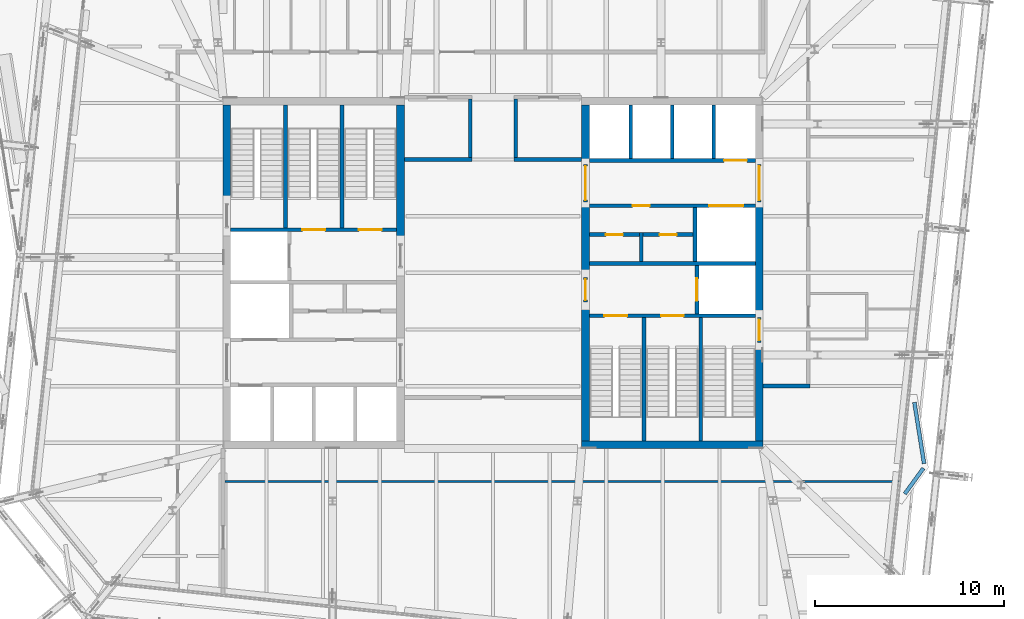
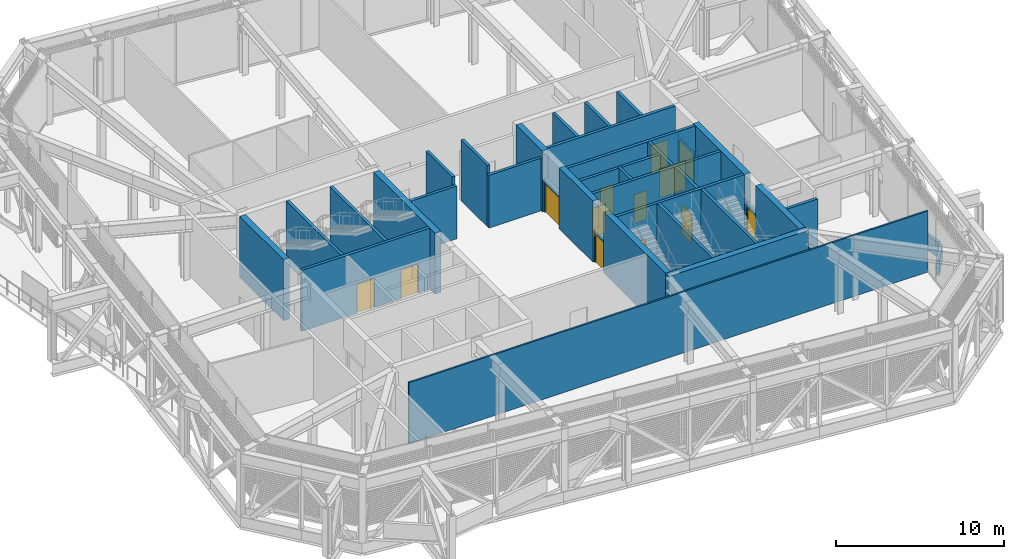
# One storey, part 22 of 36: 36 walls, 14 doors, 14 openings.
"""IFC4 building model written with IfcOpenShell, lengths in metres."""

import ifcopenshell
import ifcopenshell.guid

model = None  # the IFC model being written
_history = None  # IfcOwnerHistory: only IFC2X3 demands one
_inside = {}  # id of a spatial element -> (the spatial element, [elements in it])
_under = {}  # id of a project, library or spatial element -> (it, [spatial elements below it])
_declared = {}  # id of a project -> (the project, [libraries it declares])
_typed = {}  # id of a type object -> (the type object, [elements of that type])
_made_of = {}  # id of a material, layer set ... -> (it, [elements and type objects made of it])


def new_model(schema):
    """Start an empty IFC model of exactly this schema.

    Asked for "IFC4X3", IfcOpenShell would pick the latest addendum, in which some entities
    have other attributes; the version numbers below select the first issue.
    IFC2X3 requires an IfcOwnerHistory on every rooted entity: one is made here for all.
    """
    global model, _history
    if schema == "IFC4X3":
        model = ifcopenshell.file(schema_version=(4, 3, 0, 0))
    else:
        model = ifcopenshell.file(schema=schema)
    _inside.clear()
    _under.clear()
    _declared.clear()
    _typed.clear()
    _made_of.clear()
    _history = None
    if model.schema == "IFC2X3":
        org = make("IfcOrganization", Name="unknown")
        user = make(
            "IfcPersonAndOrganization",
            ThePerson=make("IfcPerson", FamilyName="unknown"),
            TheOrganization=org,
        )
        app = make(
            "IfcApplication",
            ApplicationDeveloper=org,
            Version="unknown",
            ApplicationFullName="unknown",
            ApplicationIdentifier="unknown",
        )
        _history = make(
            "IfcOwnerHistory",
            OwningUser=user,
            OwningApplication=app,
            ChangeAction="ADDED",
            CreationDate=0,
        )
    return model


def make(cls, **values):
    """One entity of the class cls with the attributes given. An attribute that is None is left unset."""
    return model.create_entity(
        cls, **{name: value for name, value in values.items() if value is not None}
    )


def rooted(cls, **values):
    """An entity with a GlobalId (a new one), such as an element, a storey or a relation."""
    return make(cls, GlobalId=ifcopenshell.guid.new(), OwnerHistory=_history, **values)


def si_unit(unit_type, name, prefix=None):
    """IfcSIUnit, for example si_unit("LENGTHUNIT", "METRE", prefix="MILLI")."""
    return make("IfcSIUnit", UnitType=unit_type, Prefix=prefix, Name=name)


def assignment(units):
    """IfcUnitAssignment: the units of a project."""
    return None if units is None else make("IfcUnitAssignment", Units=units)


def point(xyz):
    """IfcCartesianPoint."""
    return None if xyz is None else make("IfcCartesianPoint", Coordinates=xyz)


def direction(xyz):
    """IfcDirection."""
    return None if xyz is None else make("IfcDirection", DirectionRatios=xyz)


def frame(location, z_axis=None, x_axis=None):
    """IfcAxis2Placement3D, a coordinate frame: its origin and axes. An axis left out is left unset."""
    return make(
        "IfcAxis2Placement3D",
        Location=point(location),
        Axis=direction(z_axis),
        RefDirection=direction(x_axis),
    )


def frame_2d(location, x_axis=None):
    """IfcAxis2Placement2D, a coordinate frame in the plane: its origin and x axis."""
    return make(
        "IfcAxis2Placement2D", Location=point(location), RefDirection=direction(x_axis)
    )


def origin():
    """The frame at (0, 0, 0) with its axes left unset."""
    return frame((0.0, 0.0, 0.0))


def place(relative_to, where):
    """IfcLocalPlacement: puts the frame where relative to a parent placement (None: the world)."""
    return make(
        "IfcLocalPlacement", PlacementRelTo=relative_to, RelativePlacement=where
    )


def context(
    kind, dimensions, precision=None, world=None, true_north=None, identifier=None
):
    """IfcGeometricRepresentationContext, for example the 3D "Model" context."""
    return make(
        "IfcGeometricRepresentationContext",
        ContextIdentifier=identifier,
        ContextType=kind,
        CoordinateSpaceDimension=dimensions,
        Precision=precision,
        WorldCoordinateSystem=world,
        TrueNorth=true_north,
    )


def subcontext(parent, identifier, kind, view, scale=None):
    """IfcGeometricRepresentationSubContext, for example "Body" below "Model"."""
    return make(
        "IfcGeometricRepresentationSubContext",
        ContextIdentifier=identifier,
        ContextType=kind,
        ParentContext=parent,
        TargetScale=scale,
        TargetView=view,
    )


def project(units=None, contexts=None):
    """IfcProject with its units and contexts."""
    return rooted(
        "IfcProject",
        Name="project",
        RepresentationContexts=contexts,
        UnitsInContext=assignment(units),
    )


def spatial(cls, under=None, at=None, **own):
    """A site, building, storey or space (cls), placed at a placement, below another one or the project."""
    s = rooted(cls, ObjectPlacement=at, **own)
    if under is not None:
        _under.setdefault(under.id(), (under, []))[1].append(s)
    return s


def profile(cls, at=None, kind="AREA", **sizes):
    """A parametric profile (cls). Its sizes go by their IFC names, for example OverallWidth=200.0."""
    return make(cls, ProfileType=kind, Position=at, **sizes)


def rectangle(**sizes):
    """IfcRectangleProfileDef."""
    return profile("IfcRectangleProfileDef", **sizes)


def extrude(swept, where, along, depth):
    """IfcExtrudedAreaSolid: the profile swept, set in the frame where, extruded along a direction by depth."""
    return make(
        "IfcExtrudedAreaSolid",
        SweptArea=swept,
        Position=where,
        ExtrudedDirection=direction(along),
        Depth=depth,
    )


def shape(context_of_items, identifier, shape_type, items):
    """IfcShapeRepresentation: the items that make up one representation, for example the "Body"."""
    return make(
        "IfcShapeRepresentation",
        ContextOfItems=context_of_items,
        RepresentationIdentifier=identifier,
        RepresentationType=shape_type,
        Items=items,
    )


def material(Name=None, Category=None):
    """IfcMaterial."""
    return make("IfcMaterial", Name=Name, Category=Category)


def layer(
    of_material, thickness, ventilated=None, Name=None, Category=None, Priority=None
):
    """IfcMaterialLayer: one layer of a wall or slab, of a material (None: an air gap)."""
    return make(
        "IfcMaterialLayer",
        Material=of_material,
        LayerThickness=thickness,
        IsVentilated=ventilated,
        Name=Name,
        Category=Category,
        Priority=Priority,
    )


def layer_set(layers, Name=None):
    """IfcMaterialLayerSet."""
    return make("IfcMaterialLayerSet", MaterialLayers=layers, LayerSetName=Name)


def made_of(thing, what):
    """Note that an element or type object is made of a material, layer set ...; save() writes the relation."""
    if what is not None:
        _made_of.setdefault(what.id(), (what, []))[1].append(thing)
    return thing


def type_object(cls, material=None, **own):
    """A type object (cls), such as IfcWallType, which elements share."""
    return made_of(rooted(cls, **own), material)


def element(
    cls,
    number,
    at=None,
    inside=None,
    cuts=None,
    type_object=None,
    material=None,
    context=None,
    identifier="Body",
    shape_type=None,
    held_by="IfcProductDefinitionShape",
    body=None,
    shapes=None,
    **own,
):
    """One element of the class cls, such as IfcWall. Its Tag is "e" and its number.

    at: its placement. inside: the storey or other place that contains it. cuts: it is an
    opening in that element (IfcRelVoidsElement). A single representation is given by context,
    identifier, shape_type and body (its items); several are given by shapes. held_by: the class
    of the entity that holds the representations. save() writes the other relations.
    """
    e = rooted(cls, Tag="e%d" % number, ObjectPlacement=at, **own)
    if body is not None:
        shapes = [shape(context, identifier, shape_type, body)]
    if shapes is not None:
        e.Representation = make(held_by, Representations=shapes)
    if inside is not None:
        _inside.setdefault(inside.id(), (inside, []))[1].append(e)
    if cuts is not None:
        rooted(
            "IfcRelVoidsElement", RelatingBuildingElement=cuts, RelatedOpeningElement=e
        )
    if type_object is not None:
        _typed.setdefault(type_object.id(), (type_object, []))[1].append(e)
    return made_of(e, material)


def fill(opening, filler):
    """IfcRelFillsElement: the door or window that sits in an opening."""
    return rooted(
        "IfcRelFillsElement",
        RelatingOpeningElement=opening,
        RelatedBuildingElement=filler,
    )


def aggregate(whole, parts):
    """IfcRelAggregates: a whole, such as a stair, and the parts it consists of."""
    return rooted("IfcRelAggregates", RelatingObject=whole, RelatedObjects=parts)


def save(model, path):
    """Write the relations noted so far, then the file.

    IfcRelAggregates (storeys below a building ...), IfcRelContainedInSpatialStructure (elements
    in a storey), IfcRelDefinesByType, IfcRelAssociatesMaterial and IfcRelDeclares: one each for
    every whole, place, type object, material and project.
    """
    for whole, parts in _under.values():
        aggregate(whole, parts)
    for where, things in _inside.values():
        rooted(
            "IfcRelContainedInSpatialStructure",
            RelatedElements=things,
            RelatingStructure=where,
        )
    for kind, things in _typed.values():
        rooted("IfcRelDefinesByType", RelatedObjects=things, RelatingType=kind)
    for what, things in _made_of.values():
        rooted("IfcRelAssociatesMaterial", RelatedObjects=things, RelatingMaterial=what)
    for by, libraries in _declared.values():
        rooted("IfcRelDeclares", RelatingContext=by, RelatedDefinitions=libraries)
    model.write(path)


model = new_model("IFC4")

# Units and contexts
model_context = context("Model", 3, precision=1e-05, world=origin(), true_north=direction((0.0, 1.0)))
body_context = subcontext(model_context, "Body", "Model", "MODEL_VIEW")
ifc_project = project(units=[si_unit("LENGTHUNIT", "METRE"), si_unit("AREAUNIT", "SQUARE_METRE"), si_unit("VOLUMEUNIT", "CUBIC_METRE"), si_unit("PLANEANGLEUNIT", "RADIAN"), si_unit("MASSUNIT", "GRAM", prefix="KILO")], contexts=[model_context])

# Site, building, storey
site_placement = place(None, origin())
site = spatial("IfcSite", under=ifc_project, at=site_placement, CompositionType="ELEMENT")
building_placement = place(site_placement, origin())
building = spatial("IfcBuilding", under=site, at=building_placement, Name="Millrace Tower", CompositionType="ELEMENT")
storey_placement = place(building_placement, frame((0.0, 0.0, 271.39990234375)))
storey = spatial("IfcBuildingStorey", under=building, at=storey_placement, Name="L62", CompositionType="ELEMENT", Elevation=271.39990234375)

# Walls
ifc_material_1 = material(Name="Concrete C60", Category="concrete")
ifc_layer_1 = layer(ifc_material_1, 0.39990234375)
ifc_layer_set_1 = layer_set([ifc_layer_1], Name="Concrete C60")
wall_type_1 = type_object("IfcWallType", Name="Core wall 400 Concrete C60", PredefinedType="SHEAR", material=ifc_layer_set_1)
wall_1_placement = place(storey_placement, frame((-14.10009765625, 3.679931640625, 0.0), z_axis=(0.0, 0.0, 1.0), x_axis=(0.0, 1.0, 0.0)))
element("IfcWall", 1, at=wall_1_placement, inside=storey, type_object=wall_type_1, Name="Core wall W L62", PredefinedType="SHEAR", context=body_context, shape_type="SweptSolid", body=[
    extrude(rectangle(XDim=5.219970703125, YDim=0.39990234375, at=frame_2d((2.60986328125, 0.0))), origin(), (0.0, 0.0, 1.0), 4.440185546875),
])
wall_2_placement = place(storey_placement, frame((-4.89990234375, 1.550048828125, 0.0), z_axis=(0.0, 0.0, 1.0), x_axis=(0.0, 1.0, 0.0)))
element("IfcWall", 2, at=wall_2_placement, inside=storey, type_object=wall_type_1, Name="Core wall W L62", PredefinedType="SHEAR", context=body_context, shape_type="SweptSolid", body=[
    extrude(rectangle(XDim=7.349853515625, YDim=0.39990234375, at=frame_2d((3.6748046875, 0.0))), origin(), (0.0, 0.0, 1.0), 4.440185546875),
])
wall_3_placement = place(storey_placement, frame((14.300048828125, -9.10009765625, 0.0), z_axis=(0.0, 0.0, 1.0), x_axis=(-1.0, 0.0, 0.0)))
element("IfcWall", 3, at=wall_3_placement, inside=storey, type_object=wall_type_1, Name="Core wall E L62", PredefinedType="SHEAR", context=body_context, shape_type="SweptSolid", body=[
    extrude(rectangle(XDim=9.60009765625, YDim=0.39990234375, at=frame_2d((4.800048828125, 0.0))), origin(), (0.0, 0.0, 1.0), 4.440185546875),
])
wall_4_placement = place(storey_placement, frame((14.10009765625, 3.75, 0.0), z_axis=(0.0, 0.0, 1.0), x_axis=(0.0, -1.0, 0.0)))
element("IfcWall", 4, at=wall_4_placement, inside=storey, type_object=wall_type_1, Name="Core wall E L62", PredefinedType="SHEAR", context=body_context, shape_type="SweptSolid", body=[
    extrude(rectangle(XDim=6.1298828125, YDim=0.39990234375, at=frame_2d((3.06494140625, 0.0))), origin(), (0.0, 0.0, 1.0), 4.440185546875),
])
wall_5_placement = place(storey_placement, frame((14.10009765625, -3.679931640625, 0.0), z_axis=(0.0, 0.0, 1.0), x_axis=(0.0, -1.0, 0.0)))
element("IfcWall", 5, at=wall_5_placement, inside=storey, type_object=wall_type_1, Name="Core wall E L62", PredefinedType="SHEAR", context=body_context, shape_type="SweptSolid", body=[
    extrude(rectangle(XDim=5.219970703125, YDim=0.39990234375, at=frame_2d((2.60986328125, 0.0))), origin(), (0.0, 0.0, 1.0), 4.440185546875),
])
wall_6_placement = place(storey_placement, frame((4.89990234375, 8.89990234375, 0.0), z_axis=(0.0, 0.0, 1.0), x_axis=(0.0, -1.0, 0.0)))
element("IfcWall", 6, at=wall_6_placement, inside=storey, type_object=wall_type_1, Name="Core wall E L62", PredefinedType="SHEAR", context=body_context, shape_type="SweptSolid", body=[
    extrude(rectangle(XDim=3.14990234375, YDim=0.39990234375, at=frame_2d((1.574951171875, 0.0))), origin(), (0.0, 0.0, 1.0), 4.440185546875),
])
wall_7_placement = place(storey_placement, frame((4.89990234375, 3.75, 0.0), z_axis=(0.0, 0.0, 1.0), x_axis=(0.0, -1.0, 0.0)))
element("IfcWall", 7, at=wall_7_placement, inside=storey, type_object=wall_type_1, Name="Core wall E L62", PredefinedType="SHEAR", context=body_context, shape_type="SweptSolid", body=[
    extrude(rectangle(XDim=4.0, YDim=0.39990234375, at=frame_2d((2.0, 0.0))), origin(), (0.0, 0.0, 1.0), 4.440185546875),
])
wall_8_placement = place(storey_placement, frame((4.89990234375, -1.550048828125, 0.0), z_axis=(0.0, 0.0, 1.0), x_axis=(0.0, -1.0, 0.0)))
element("IfcWall", 8, at=wall_8_placement, inside=storey, type_object=wall_type_1, Name="Core wall E L62", PredefinedType="SHEAR", context=body_context, shape_type="SweptSolid", body=[
    extrude(rectangle(XDim=7.349853515625, YDim=0.39990234375, at=frame_2d((3.6748046875, 0.0))), origin(), (0.0, 0.0, 1.0), 4.440185546875),
])
ifc_material_2 = material(Name="Masonry partition, fire-rated", Category="masonry")
ifc_layer_2 = layer(ifc_material_2, 0.199951171875)
ifc_layer_set_2 = layer_set([ifc_layer_2], Name="Masonry partition, fire-rated")
wall_type_2 = type_object("IfcWallType", Name="Corridor wall 200", PredefinedType="PARTITIONING", material=ifc_layer_set_2)
wall_9_placement = place(storey_placement, frame((14.300048828125, -6.0, 0.0), z_axis=(0.0, 0.0, 1.0), x_axis=(1.0, 0.0, 0.0)))
element("IfcWall", 9, at=wall_9_placement, inside=storey, type_object=wall_type_2, Name="Corridor wall L62", PredefinedType="PARTITIONING", context=body_context, shape_type="SweptSolid", body=[
    extrude(rectangle(XDim=2.5, YDim=0.199951171875, at=frame_2d((1.25, 0.0))), origin(), (0.0, 0.0, 1.0), 3.914306640625),
])
for number, where, z_axis, x_axis, name in (
    (10, (-4.699951171875, 6.0, 0.0), (0.0, 0.0, 1.0), (1.0, 0.0, 0.0), "Corridor wall L62"),
    (11, (1.10009765625, 6.0, 0.0), (0.0, 0.0, 1.0), (1.0, 0.0, 0.0), "Corridor wall L62"),
):
    element("IfcWall", number, at=place(storey_placement, frame(where, z_axis=z_axis, x_axis=x_axis)), inside=storey, type_object=wall_type_2, Name=name, PredefinedType="PARTITIONING", context=body_context, shape_type="SweptSolid", body=[
        extrude(rectangle(XDim=3.599853515625, YDim=0.199951171875, at=frame_2d((1.7998046875, 0.0))), origin(), (0.0, 0.0, 1.0), 3.840576171875),
    ])
for number, where, z_axis, x_axis, name in (
    (12, (1.199951171875, 6.10009765625, 0.0), (0.0, 0.0, 1.0), (0.0, 1.0, 0.0), "Corridor wall L62"),
    (13, (-1.199951171875, 6.10009765625, 0.0), (0.0, 0.0, 1.0), (0.0, 1.0, 0.0), "Corridor wall L62"),
):
    element("IfcWall", number, at=place(storey_placement, frame(where, z_axis=z_axis, x_axis=x_axis)), inside=storey, type_object=wall_type_2, Name=name, PredefinedType="PARTITIONING", context=body_context, shape_type="SweptSolid", body=[
        extrude(rectangle(XDim=3.099853515625, YDim=0.199951171875, at=frame_2d((1.5498046875, 0.0))), origin(), (0.0, 0.0, 1.0), 4.440185546875),
    ])

# Wall, opening, door
ifc_material_3 = material(Name="Masonry partition, fire-rated", Category="masonry")
ifc_layer_3 = layer(ifc_material_3, 0.199951171875)
ifc_layer_set_3 = layer_set([ifc_layer_3], Name="Masonry partition, fire-rated")
wall_type_3 = type_object("IfcWallType", Name="Lift shaft wall 200", PredefinedType="PARTITIONING", material=ifc_layer_set_3)
wall_10_placement = place(storey_placement, frame((13.89990234375, 5.949951171875, 0.0), z_axis=(0.0, 0.0, 1.0), x_axis=(-1.0, 0.0, 0.0)))
wall_10 = element("IfcWall", 14, at=wall_10_placement, inside=storey, type_object=wall_type_3, Name="Lift shaft wall E L62", PredefinedType="PARTITIONING", context=body_context, shape_type="SweptSolid", body=[
    extrude(rectangle(XDim=8.7998046875, YDim=0.199951171875, at=frame_2d((4.39990234375, 0.0))), origin(), (0.0, 0.0, 1.0), 4.440185546875),
])
opening_1_placement = place(wall_10_placement, frame((0.449951171875, 0.0, 0.0)))
opening_1 = element("IfcOpeningElement", 15, at=opening_1_placement, cuts=wall_10, Name="Opening 62-LD09", PredefinedType="OPENING", context=body_context, shape_type="SweptSolid", body=[
    extrude(rectangle(XDim=1.199951171875, YDim=2.10009765625, at=frame_2d((0.60009765625, 1.050048828125))), frame((0.0, 0.10986328125, 0.0), z_axis=(0.0, -1.0, 0.0), x_axis=(1.0, 0.0, 0.0)), (0.0, 0.0, 1.0), 0.219970703125),
])
ifc_material_4 = material(Name="Stainless steel, fire-rated", Category="steel")
door_type_1 = type_object("IfcDoorType", Name="Lift landing door 1200 x 2100", OperationType="DOUBLE_DOOR_SLIDING", PredefinedType="DOOR", material=ifc_material_4)
door_1_placement = place(opening_1_placement, origin())
door_1 = element("IfcDoor", 16, at=door_1_placement, inside=storey, type_object=door_type_1, Name="Lift landing door LF9 L62", OperationType="DOUBLE_DOOR_SLIDING", OverallHeight=2.10009765625, OverallWidth=1.199951171875, PredefinedType="DOOR", context=body_context, shape_type="SweptSolid", body=[
    extrude(rectangle(XDim=1.199951171875, YDim=2.10009765625, at=frame_2d((0.60009765625, 1.050048828125))), frame((0.0, 0.02490234375, 0.0), z_axis=(0.0, -1.0, 0.0), x_axis=(1.0, 0.0, 0.0)), (0.0, 0.0, 1.0), 0.050048828125),
])
fill(opening_1, door_1)

# Wall, openings, doors
wall_11_placement = place(storey_placement, frame((13.89990234375, 3.550048828125, 0.0), z_axis=(0.0, 0.0, 1.0), x_axis=(-1.0, 0.0, 0.0)))
wall_11 = element("IfcWall", 17, at=wall_11_placement, inside=storey, type_object=wall_type_3, Name="Lift shaft wall E L62", PredefinedType="PARTITIONING", context=body_context, shape_type="SweptSolid", body=[
    extrude(rectangle(XDim=8.7998046875, YDim=0.199951171875, at=frame_2d((4.39990234375, 0.0))), origin(), (0.0, 0.0, 1.0), 4.440185546875),
])
opening_2_placement = place(wall_11_placement, frame((0.64990234375, 0.0, 0.0)))
opening_2 = element("IfcOpeningElement", 18, at=opening_2_placement, cuts=wall_11, Name="Opening 62-LD13", PredefinedType="OPENING", context=body_context, shape_type="SweptSolid", body=[
    extrude(rectangle(XDim=1.800048828125, YDim=2.10009765625, at=frame_2d((0.89990234375, 1.050048828125))), frame((0.0, 0.10986328125, 0.0), z_axis=(0.0, -1.0, 0.0), x_axis=(1.0, 0.0, 0.0)), (0.0, 0.0, 1.0), 0.219970703125),
])
opening_3_placement = place(wall_11_placement, frame((5.60009765625, 0.0, 0.0)))
opening_3 = element("IfcOpeningElement", 19, at=opening_3_placement, cuts=wall_11, Name="Opening 62-C014", PredefinedType="OPENING", context=body_context, shape_type="SweptSolid", body=[
    extrude(rectangle(XDim=0.89990234375, YDim=2.10009765625, at=frame_2d((0.449951171875, 1.050048828125))), frame((0.0, 0.10986328125, 0.0), z_axis=(0.0, -1.0, 0.0), x_axis=(1.0, 0.0, 0.0)), (0.0, 0.0, 1.0), 0.219970703125),
])
ifc_material_5 = material(Name="Stainless steel, fire-rated", Category="steel")
door_type_2 = type_object("IfcDoorType", Name="Lift landing door 1800 x 2100", OperationType="DOUBLE_DOOR_SLIDING", PredefinedType="DOOR", material=ifc_material_5)
door_2_placement = place(opening_2_placement, origin())
door_2 = element("IfcDoor", 20, at=door_2_placement, inside=storey, type_object=door_type_2, Name="Lift landing door LF13 L62", OperationType="DOUBLE_DOOR_SLIDING", OverallHeight=2.10009765625, OverallWidth=1.800048828125, PredefinedType="DOOR", context=body_context, shape_type="SweptSolid", body=[
    extrude(rectangle(XDim=1.800048828125, YDim=2.10009765625, at=frame_2d((0.89990234375, 1.050048828125))), frame((0.0, 0.02490234375, 0.0), z_axis=(0.0, -1.0, 0.0), x_axis=(1.0, 0.0, 0.0)), (0.0, 0.0, 1.0), 0.050048828125),
])
fill(opening_2, door_2)
ifc_material_6 = material(Name="Steel door, fire-rated", Category="steel")
door_type_3 = type_object("IfcDoorType", Name="Service room door 900 x 2100", OperationType="SINGLE_SWING_LEFT", PredefinedType="DOOR", material=ifc_material_6)
door_3_placement = place(opening_3_placement, frame((0.89990234375, 0.0, 0.0), z_axis=(0.0, 0.0, 1.0), x_axis=(-1.0, 0.0, 0.0)))
door_3 = element("IfcDoor", 21, at=door_3_placement, inside=storey, type_object=door_type_3, Name="Service room door 62-C014", OperationType="SINGLE_SWING_LEFT", OverallHeight=2.10009765625, OverallWidth=0.89990234375, PredefinedType="DOOR", context=body_context, shape_type="SweptSolid", body=[
    extrude(rectangle(XDim=0.89990234375, YDim=2.10009765625, at=frame_2d((0.449951171875, 1.050048828125))), frame((0.0, 0.02490234375, 0.0), z_axis=(0.0, -1.0, 0.0), x_axis=(1.0, 0.0, 0.0)), (0.0, 0.0, 1.0), 0.050048828125),
])
fill(opening_3, door_3)

# Wall
wall_12_placement = place(storey_placement, frame((13.89990234375, 0.5, 0.0), z_axis=(0.0, 0.0, 1.0), x_axis=(-1.0, 0.0, 0.0)))
element("IfcWall", 22, at=wall_12_placement, inside=storey, type_object=wall_type_3, Name="Lift shaft wall E L62", PredefinedType="PARTITIONING", context=body_context, shape_type="SweptSolid", body=[
    extrude(rectangle(XDim=8.7998046875, YDim=0.199951171875, at=frame_2d((4.39990234375, 0.0))), origin(), (0.0, 0.0, 1.0), 4.440185546875),
])

# Wall, opening, door
wall_13_placement = place(storey_placement, frame((10.800048828125, 0.39990234375, 0.0), z_axis=(0.0, 0.0, 1.0), x_axis=(0.0, -1.0, 0.0)))
wall_13 = element("IfcWall", 23, at=wall_13_placement, inside=storey, type_object=wall_type_3, Name="Lift shaft wall E L62", PredefinedType="PARTITIONING", context=body_context, shape_type="SweptSolid", body=[
    extrude(rectangle(XDim=2.579833984375, YDim=0.199951171875, at=frame_2d((1.2900390625, 0.0))), origin(), (0.0, 0.0, 1.0), 4.440185546875),
])
opening_4_placement = place(wall_13_placement, frame((0.68994140625, 0.0, 0.0)))
opening_4 = element("IfcOpeningElement", 24, at=opening_4_placement, cuts=wall_13, Name="Opening 62-LD16", PredefinedType="OPENING", context=body_context, shape_type="SweptSolid", body=[
    extrude(rectangle(XDim=1.199951171875, YDim=2.10009765625, at=frame_2d((0.60009765625, 1.050048828125))), frame((0.0, 0.10986328125, 0.0), z_axis=(0.0, -1.0, 0.0), x_axis=(1.0, 0.0, 0.0)), (0.0, 0.0, 1.0), 0.219970703125),
])
door_4_placement = place(opening_4_placement, origin())
door_4 = element("IfcDoor", 25, at=door_4_placement, inside=storey, type_object=door_type_1, Name="Lift landing door LF16 L62", OperationType="DOUBLE_DOOR_SLIDING", OverallHeight=2.10009765625, OverallWidth=1.199951171875, PredefinedType="DOOR", context=body_context, shape_type="SweptSolid", body=[
    extrude(rectangle(XDim=1.199951171875, YDim=2.10009765625, at=frame_2d((0.60009765625, 1.050048828125))), frame((0.0, 0.02490234375, 0.0), z_axis=(0.0, -1.0, 0.0), x_axis=(1.0, 0.0, 0.0)), (0.0, 0.0, 1.0), 0.050048828125),
])
fill(opening_4, door_4)

# Walls
for number, where, z_axis, x_axis, name in (
    (26, (11.699951171875, 8.89990234375, 0.0), (0.0, 0.0, 1.0), (0.0, -1.0, 0.0), "Lift shaft wall E L62"),
    (27, (9.5, 8.89990234375, 0.0), (0.0, 0.0, 1.0), (0.0, -1.0, 0.0), "Lift shaft wall E L62"),
    (28, (7.300048828125, 8.89990234375, 0.0), (0.0, 0.0, 1.0), (0.0, -1.0, 0.0), "Lift shaft wall E L62"),
    (29, (10.699951171875, 3.449951171875, 0.0), (0.0, 0.0, 1.0), (0.0, -1.0, 0.0), "Lift shaft wall E L62"),
):
    element("IfcWall", number, at=place(storey_placement, frame(where, z_axis=z_axis, x_axis=x_axis)), inside=storey, type_object=wall_type_3, Name=name, PredefinedType="PARTITIONING", context=body_context, shape_type="SweptSolid", body=[
        extrude(rectangle(XDim=2.849853515625, YDim=0.199951171875, at=frame_2d((1.4248046875, 0.0))), origin(), (0.0, 0.0, 1.0), 4.440185546875),
    ])

# Wall, opening, door
ifc_material_7 = material(Name="Masonry partition, fire-rated", Category="masonry")
ifc_layer_4 = layer(ifc_material_7, 0.199951171875)
ifc_layer_set_4 = layer_set([ifc_layer_4], Name="Masonry partition, fire-rated")
wall_type_4 = type_object("IfcWallType", Name="Lobby wall 200", PredefinedType="PARTITIONING", material=ifc_layer_set_4)
wall_14_placement = place(storey_placement, frame((14.10009765625, 5.75, 0.0), z_axis=(0.0, 0.0, 1.0), x_axis=(0.0, -1.0, 0.0)))
wall_14 = element("IfcWall", 30, at=wall_14_placement, inside=storey, type_object=wall_type_4, Name="Lobby wall E L62", PredefinedType="PARTITIONING", context=body_context, shape_type="SweptSolid", body=[
    extrude(rectangle(XDim=2.0, YDim=0.199951171875, at=frame_2d((1.0, 0.0))), origin(), (0.0, 0.0, 1.0), 2.400146484375),
])
opening_5_placement = place(wall_14_placement, frame((0.10009765625, 0.0, 0.0)))
opening_5 = element("IfcOpeningElement", 31, at=opening_5_placement, cuts=wall_14, Name="Opening 62-C010", PredefinedType="OPENING", context=body_context, shape_type="SweptSolid", body=[
    extrude(rectangle(XDim=1.800048828125, YDim=2.10009765625, at=frame_2d((0.89990234375, 1.050048828125))), frame((0.0, 0.10986328125, 0.0), z_axis=(0.0, -1.0, 0.0), x_axis=(1.0, 0.0, 0.0)), (0.0, 0.0, 1.0), 0.219970703125),
])
ifc_material_8 = material(Name="Steel door, fire-rated", Category="steel")
door_type_4 = type_object("IfcDoorType", Name="Lobby door 1800 x 2100", OperationType="DOUBLE_DOOR_SINGLE_SWING", PredefinedType="DOOR", material=ifc_material_8)
door_5_placement = place(opening_5_placement, origin())
door_5 = element("IfcDoor", 32, at=door_5_placement, inside=storey, type_object=door_type_4, Name="Lobby door 62-C010", OperationType="DOUBLE_DOOR_SINGLE_SWING", OverallHeight=2.10009765625, OverallWidth=1.800048828125, PredefinedType="DOOR", context=body_context, shape_type="SweptSolid", body=[
    extrude(rectangle(XDim=1.800048828125, YDim=2.10009765625, at=frame_2d((0.89990234375, 1.050048828125))), frame((0.0, 0.02490234375, 0.0), z_axis=(0.0, -1.0, 0.0), x_axis=(1.0, 0.0, 0.0)), (0.0, 0.0, 1.0), 0.050048828125),
])
fill(opening_5, door_5)

wall_15_placement = place(storey_placement, frame((4.89990234375, 5.75, 0.0), z_axis=(0.0, 0.0, 1.0), x_axis=(0.0, -1.0, 0.0)))
wall_15 = element("IfcWall", 33, at=wall_15_placement, inside=storey, type_object=wall_type_4, Name="Lobby wall E L62", PredefinedType="PARTITIONING", context=body_context, shape_type="SweptSolid", body=[
    extrude(rectangle(XDim=2.0, YDim=0.199951171875, at=frame_2d((1.0, 0.0))), origin(), (0.0, 0.0, 1.0), 2.400146484375),
])
opening_6_placement = place(wall_15_placement, frame((0.10009765625, 0.0, 0.0)))
opening_6 = element("IfcOpeningElement", 34, at=opening_6_placement, cuts=wall_15, Name="Opening 62-C012", PredefinedType="OPENING", context=body_context, shape_type="SweptSolid", body=[
    extrude(rectangle(XDim=1.800048828125, YDim=2.10009765625, at=frame_2d((0.89990234375, 1.050048828125))), frame((0.0, 0.10986328125, 0.0), z_axis=(0.0, -1.0, 0.0), x_axis=(1.0, 0.0, 0.0)), (0.0, 0.0, 1.0), 0.219970703125),
])
door_6_placement = place(opening_6_placement, frame((1.800048828125, 0.0, 0.0), z_axis=(0.0, 0.0, 1.0), x_axis=(-1.0, 0.0, 0.0)))
door_6 = element("IfcDoor", 35, at=door_6_placement, inside=storey, type_object=door_type_4, Name="Lobby door 62-C012", OperationType="DOUBLE_DOOR_SINGLE_SWING", OverallHeight=2.10009765625, OverallWidth=1.800048828125, PredefinedType="DOOR", context=body_context, shape_type="SweptSolid", body=[
    extrude(rectangle(XDim=1.800048828125, YDim=2.10009765625, at=frame_2d((0.89990234375, 1.050048828125))), frame((0.0, 0.02490234375, 0.0), z_axis=(0.0, -1.0, 0.0), x_axis=(1.0, 0.0, 0.0)), (0.0, 0.0, 1.0), 0.050048828125),
])
fill(opening_6, door_6)

wall_16_placement = place(storey_placement, frame((4.89990234375, -0.25, 0.0), z_axis=(0.0, 0.0, 1.0), x_axis=(0.0, -1.0, 0.0)))
wall_16 = element("IfcWall", 36, at=wall_16_placement, inside=storey, type_object=wall_type_4, Name="Lobby wall E L62", PredefinedType="PARTITIONING", context=body_context, shape_type="SweptSolid", body=[
    extrude(rectangle(XDim=1.300048828125, YDim=0.199951171875, at=frame_2d((0.64990234375, 0.0))), origin(), (0.0, 0.0, 1.0), 2.400146484375),
])
opening_7_placement = place(wall_16_placement, frame((0.10009765625, 0.0, 0.0)))
opening_7 = element("IfcOpeningElement", 37, at=opening_7_placement, cuts=wall_16, Name="Opening 62-C013", PredefinedType="OPENING", context=body_context, shape_type="SweptSolid", body=[
    extrude(rectangle(XDim=1.10009765625, YDim=2.10009765625, at=frame_2d((0.550048828125, 1.050048828125))), frame((0.0, 0.10986328125, 0.0), z_axis=(0.0, -1.0, 0.0), x_axis=(1.0, 0.0, 0.0)), (0.0, 0.0, 1.0), 0.219970703125),
])
ifc_material_9 = material(Name="Steel door, fire-rated", Category="steel")
door_type_5 = type_object("IfcDoorType", Name="Lobby door 1100 x 2100", OperationType="SINGLE_SWING_LEFT", PredefinedType="DOOR", material=ifc_material_9)
door_7_placement = place(opening_7_placement, frame((1.10009765625, 0.0, 0.0), z_axis=(0.0, 0.0, 1.0), x_axis=(-1.0, 0.0, 0.0)))
door_7 = element("IfcDoor", 38, at=door_7_placement, inside=storey, type_object=door_type_5, Name="Lobby door 62-C013", OperationType="SINGLE_SWING_LEFT", OverallHeight=2.10009765625, OverallWidth=1.10009765625, PredefinedType="DOOR", context=body_context, shape_type="SweptSolid", body=[
    extrude(rectangle(XDim=1.10009765625, YDim=2.10009765625, at=frame_2d((0.550048828125, 1.050048828125))), frame((0.0, 0.02490234375, 0.0), z_axis=(0.0, -1.0, 0.0), x_axis=(1.0, 0.0, 0.0)), (0.0, 0.0, 1.0), 0.050048828125),
])
fill(opening_7, door_7)

# Walls
ifc_material_10 = material(Name="Gypsum board partition")
ifc_layer_5 = layer(ifc_material_10, 0.1201171875)
ifc_layer_set_5 = layer_set([ifc_layer_5], Name="Gypsum board partition")
wall_type_5 = type_object("IfcWallType", Name="Partition wall 120", PredefinedType="PARTITIONING", material=ifc_layer_set_5)
wall_17_placement = place(storey_placement, frame((-14.199951171875, -11.05224609375, 0.0), z_axis=(0.0, 0.0, 1.0), x_axis=(1.0, 0.0, 0.0)))
element("IfcWall", 39, at=wall_17_placement, inside=storey, type_object=wall_type_5, Name="Partition wall L62", PredefinedType="PARTITIONING", context=body_context, shape_type="SweptSolid", body=[
    extrude(rectangle(XDim=35.6865234375, YDim=0.1201171875, at=frame_2d((17.84326171875, 0.0))), origin(), (0.0, 0.0, 1.0), 4.440185546875),
])
ifc_material_11 = material(Name="Concrete C40", Category="concrete")
ifc_layer_6 = layer(ifc_material_11, 0.199951171875)
ifc_layer_set_6 = layer_set([ifc_layer_6], Name="Concrete C40")
wall_type_6 = type_object("IfcWallType", Name="Roof parapet 1100", PredefinedType="PARAPET", material=ifc_layer_set_6)
wall_18_placement = place(storey_placement, frame((22.801513671875, -10.353271484375, 0.0), z_axis=(0.0, 0.0, 1.0), x_axis=(-0.587765349437, -0.809031454271, 0.0)))
element("IfcWall", 40, at=wall_18_placement, inside=storey, type_object=wall_type_6, Name="Roof parapet L61-E4-1 1", PredefinedType="PARAPET", context=body_context, shape_type="SweptSolid", body=[
    extrude(rectangle(XDim=1.679443359375, YDim=0.199951171875, at=frame_2d((0.83984375, 0.0))), origin(), (0.0, 0.0, 1.0), 1.10009765625),
])
wall_19_placement = place(storey_placement, frame((22.323974609375, -6.865234375, 0.0), z_axis=(0.0, 0.0, 1.0), x_axis=(0.156379171077, -0.987697096712, 0.0)))
element("IfcWall", 41, at=wall_19_placement, inside=storey, type_object=wall_type_6, Name="Roof parapet L61-E4-2 1", PredefinedType="PARAPET", context=body_context, shape_type="SweptSolid", body=[
    extrude(rectangle(XDim=3.280029296875, YDim=0.199951171875, at=frame_2d((1.64013671875, 0.0))), origin(), (0.0, 0.0, 1.0), 1.10009765625),
])

# Wall, openings, doors
ifc_material_12 = material(Name="Masonry partition, fire-rated", Category="masonry")
ifc_layer_7 = layer(ifc_material_12, 0.199951171875)
ifc_layer_set_7 = layer_set([ifc_layer_7], Name="Masonry partition, fire-rated")
wall_type_7 = type_object("IfcWallType", Name="Room partition 200", PredefinedType="PARTITIONING", material=ifc_layer_set_7)
wall_20_placement = place(storey_placement, frame((10.60009765625, 2.02490234375, 0.0), z_axis=(0.0, 0.0, 1.0), x_axis=(-1.0, 0.0, 0.0)))
wall_20 = element("IfcWall", 42, at=wall_20_placement, inside=storey, type_object=wall_type_7, Name="Room partition E L62", PredefinedType="PARTITIONING", context=body_context, shape_type="SweptSolid", body=[
    extrude(rectangle(XDim=5.5, YDim=0.199951171875, at=frame_2d((2.75, 0.0))), origin(), (0.0, 0.0, 1.0), 4.440185546875),
])
opening_8_placement = place(wall_20_placement, frame((0.875, 0.0, 0.0)))
opening_8 = element("IfcOpeningElement", 43, at=opening_8_placement, cuts=wall_20, Name="Opening 62-C015", PredefinedType="OPENING", context=body_context, shape_type="SweptSolid", body=[
    extrude(rectangle(XDim=0.89990234375, YDim=2.10009765625, at=frame_2d((0.449951171875, 1.050048828125))), frame((0.0, 0.10986328125, 0.0), z_axis=(0.0, -1.0, 0.0), x_axis=(1.0, 0.0, 0.0)), (0.0, 0.0, 1.0), 0.219970703125),
])
opening_9_placement = place(wall_20_placement, frame((3.72509765625, 0.0, 0.0)))
opening_9 = element("IfcOpeningElement", 44, at=opening_9_placement, cuts=wall_20, Name="Opening 62-C016", PredefinedType="OPENING", context=body_context, shape_type="SweptSolid", body=[
    extrude(rectangle(XDim=0.89990234375, YDim=2.10009765625, at=frame_2d((0.449951171875, 1.050048828125))), frame((0.0, 0.10986328125, 0.0), z_axis=(0.0, -1.0, 0.0), x_axis=(1.0, 0.0, 0.0)), (0.0, 0.0, 1.0), 0.219970703125),
])
door_8_placement = place(opening_8_placement, origin())
door_8 = element("IfcDoor", 45, at=door_8_placement, inside=storey, type_object=door_type_3, Name="Service room door 62-C015", OperationType="SINGLE_SWING_LEFT", OverallHeight=2.10009765625, OverallWidth=0.89990234375, PredefinedType="DOOR", context=body_context, shape_type="SweptSolid", body=[
    extrude(rectangle(XDim=0.89990234375, YDim=2.10009765625, at=frame_2d((0.449951171875, 1.050048828125))), frame((0.0, 0.02490234375, 0.0), z_axis=(0.0, -1.0, 0.0), x_axis=(1.0, 0.0, 0.0)), (0.0, 0.0, 1.0), 0.050048828125),
])
fill(opening_8, door_8)
door_9_placement = place(opening_9_placement, origin())
door_9 = element("IfcDoor", 46, at=door_9_placement, inside=storey, type_object=door_type_3, Name="Service room door 62-C016", OperationType="SINGLE_SWING_RIGHT", OverallHeight=2.10009765625, OverallWidth=0.89990234375, PredefinedType="DOOR", context=body_context, shape_type="SweptSolid", body=[
    extrude(rectangle(XDim=0.89990234375, YDim=2.10009765625, at=frame_2d((0.449951171875, 1.050048828125))), frame((0.0, 0.02490234375, 0.0), z_axis=(0.0, -1.0, 0.0), x_axis=(1.0, 0.0, 0.0)), (0.0, 0.0, 1.0), 0.050048828125),
])
fill(opening_9, door_9)

# Wall
wall_21_placement = place(storey_placement, frame((7.85009765625, 2.125, 0.0), z_axis=(0.0, 0.0, 1.0), x_axis=(0.0, -1.0, 0.0)))
element("IfcWall", 47, at=wall_21_placement, inside=storey, type_object=wall_type_7, Name="Room partition E L62", PredefinedType="PARTITIONING", context=body_context, shape_type="SweptSolid", body=[
    extrude(rectangle(XDim=1.52490234375, YDim=0.199951171875, at=frame_2d((0.762451171875, 0.0))), origin(), (0.0, 0.0, 1.0), 4.440185546875),
])

# Wall, openings, doors
ifc_material_13 = material(Name="Concrete C40", Category="concrete")
ifc_layer_8 = layer(ifc_material_13, 0.199951171875)
ifc_layer_set_8 = layer_set([ifc_layer_8], Name="Concrete C40")
wall_type_8 = type_object("IfcWallType", Name="Stair enclosure wall 200 Concrete C40", PredefinedType="SHEAR", material=ifc_layer_set_8)
wall_22_placement = place(storey_placement, frame((-13.89990234375, 2.280029296875, 0.0), z_axis=(0.0, 0.0, 1.0), x_axis=(1.0, 0.0, 0.0)))
wall_22 = element("IfcWall", 48, at=wall_22_placement, inside=storey, type_object=wall_type_8, Name="Stair enclosure wall W L62", PredefinedType="SHEAR", context=body_context, shape_type="SweptSolid", body=[
    extrude(rectangle(XDim=8.7998046875, YDim=0.199951171875, at=frame_2d((4.39990234375, 0.0))), origin(), (0.0, 0.0, 1.0), 4.440185546875),
])
opening_10_placement = place(wall_22_placement, frame((3.800048828125, 0.0, 0.0)))
opening_10 = element("IfcOpeningElement", 49, at=opening_10_placement, cuts=wall_22, Name="Opening 62-C008", PredefinedType="OPENING", context=body_context, shape_type="SweptSolid", body=[
    extrude(rectangle(XDim=1.199951171875, YDim=2.10009765625, at=frame_2d((0.60009765625, 1.050048828125))), frame((0.0, 0.10986328125, 0.0), z_axis=(0.0, -1.0, 0.0), x_axis=(1.0, 0.0, 0.0)), (0.0, 0.0, 1.0), 0.219970703125),
])
opening_11_placement = place(wall_22_placement, frame((6.800048828125, 0.0, 0.0)))
opening_11 = element("IfcOpeningElement", 50, at=opening_11_placement, cuts=wall_22, Name="Opening 62-C009", PredefinedType="OPENING", context=body_context, shape_type="SweptSolid", body=[
    extrude(rectangle(XDim=1.199951171875, YDim=2.10009765625, at=frame_2d((0.60009765625, 1.050048828125))), frame((0.0, 0.10986328125, 0.0), z_axis=(0.0, -1.0, 0.0), x_axis=(1.0, 0.0, 0.0)), (0.0, 0.0, 1.0), 0.219970703125),
])
ifc_material_14 = material(Name="Steel door, fire-rated", Category="steel")
door_type_6 = type_object("IfcDoorType", Name="Stair door 1200 x 2100", OperationType="SINGLE_SWING_LEFT", PredefinedType="DOOR", material=ifc_material_14)
door_10_placement = place(opening_10_placement, frame((1.199951171875, 0.0, 0.0), z_axis=(0.0, 0.0, 1.0), x_axis=(-1.0, 0.0, 0.0)))
door_10 = element("IfcDoor", 51, at=door_10_placement, inside=storey, type_object=door_type_6, Name="Stair door 62-C008", OperationType="SINGLE_SWING_RIGHT", OverallHeight=2.10009765625, OverallWidth=1.199951171875, PredefinedType="DOOR", context=body_context, shape_type="SweptSolid", body=[
    extrude(rectangle(XDim=1.199951171875, YDim=2.10009765625, at=frame_2d((0.60009765625, 1.050048828125))), frame((0.0, 0.02490234375, 0.0), z_axis=(0.0, -1.0, 0.0), x_axis=(1.0, 0.0, 0.0)), (0.0, 0.0, 1.0), 0.050048828125),
])
fill(opening_10, door_10)
door_11_placement = place(opening_11_placement, frame((1.199951171875, 0.0, 0.0), z_axis=(0.0, 0.0, 1.0), x_axis=(-1.0, 0.0, 0.0)))
door_11 = element("IfcDoor", 52, at=door_11_placement, inside=storey, type_object=door_type_6, Name="Stair door 62-C009", OperationType="SINGLE_SWING_LEFT", OverallHeight=2.10009765625, OverallWidth=1.199951171875, PredefinedType="DOOR", context=body_context, shape_type="SweptSolid", body=[
    extrude(rectangle(XDim=1.199951171875, YDim=2.10009765625, at=frame_2d((0.60009765625, 1.050048828125))), frame((0.0, 0.02490234375, 0.0), z_axis=(0.0, -1.0, 0.0), x_axis=(1.0, 0.0, 0.0)), (0.0, 0.0, 1.0), 0.050048828125),
])
fill(opening_11, door_11)

# Walls
for number, where, z_axis, x_axis, name in (
    (53, (-11.0, 2.3798828125, 0.0), (0.0, 0.0, 1.0), (0.0, 1.0, 0.0), "Stair enclosure wall W L62"),
    (54, (-8.0, 2.3798828125, 0.0), (0.0, 0.0, 1.0), (0.0, 1.0, 0.0), "Stair enclosure wall W L62"),
):
    element("IfcWall", number, at=place(storey_placement, frame(where, z_axis=z_axis, x_axis=x_axis)), inside=storey, type_object=wall_type_8, Name=name, PredefinedType="SHEAR", context=body_context, shape_type="SweptSolid", body=[
        extrude(rectangle(XDim=6.52001953125, YDim=0.199951171875, at=frame_2d((3.260009765625, 0.0))), origin(), (0.0, 0.0, 1.0), 4.440185546875),
    ])

# Wall, opening, door
wall_23_placement = place(storey_placement, frame((14.10009765625, -2.3798828125, 0.0), z_axis=(0.0, 0.0, 1.0), x_axis=(0.0, -1.0, 0.0)))
wall_23 = element("IfcWall", 55, at=wall_23_placement, inside=storey, type_object=wall_type_8, Name="Stair enclosure wall E L62", PredefinedType="SHEAR", context=body_context, shape_type="SweptSolid", body=[
    extrude(rectangle(XDim=1.300048828125, YDim=0.199951171875, at=frame_2d((0.64990234375, 0.0))), origin(), (0.0, 0.0, 1.0), 2.400146484375),
])
opening_12_placement = place(wall_23_placement, frame((0.10009765625, 0.0, 0.0)))
opening_12 = element("IfcOpeningElement", 56, at=opening_12_placement, cuts=wall_23, Name="Opening 62-C011", PredefinedType="OPENING", context=body_context, shape_type="SweptSolid", body=[
    extrude(rectangle(XDim=1.10009765625, YDim=2.10009765625, at=frame_2d((0.550048828125, 1.050048828125))), frame((0.0, 0.10986328125, 0.0), z_axis=(0.0, -1.0, 0.0), x_axis=(1.0, 0.0, 0.0)), (0.0, 0.0, 1.0), 0.219970703125),
])
ifc_material_15 = material(Name="Steel door, fire-rated", Category="steel")
door_type_7 = type_object("IfcDoorType", Name="Stair door 1100 x 2100", OperationType="SINGLE_SWING_LEFT", PredefinedType="DOOR", material=ifc_material_15)
door_12_placement = place(opening_12_placement, origin())
door_12 = element("IfcDoor", 57, at=door_12_placement, inside=storey, type_object=door_type_7, Name="Stair door 62-C011", OperationType="SINGLE_SWING_LEFT", OverallHeight=2.10009765625, OverallWidth=1.10009765625, PredefinedType="DOOR", context=body_context, shape_type="SweptSolid", body=[
    extrude(rectangle(XDim=1.10009765625, YDim=2.10009765625, at=frame_2d((0.550048828125, 1.050048828125))), frame((0.0, 0.02490234375, 0.0), z_axis=(0.0, -1.0, 0.0), x_axis=(1.0, 0.0, 0.0)), (0.0, 0.0, 1.0), 0.050048828125),
])
fill(opening_12, door_12)

# Wall, openings, doors
wall_24_placement = place(storey_placement, frame((13.89990234375, -2.280029296875, 0.0), z_axis=(0.0, 0.0, 1.0), x_axis=(-1.0, 0.0, 0.0)))
wall_24 = element("IfcWall", 58, at=wall_24_placement, inside=storey, type_object=wall_type_8, Name="Stair enclosure wall E L62", PredefinedType="SHEAR", context=body_context, shape_type="SweptSolid", body=[
    extrude(rectangle(XDim=8.7998046875, YDim=0.199951171875, at=frame_2d((4.39990234375, 0.0))), origin(), (0.0, 0.0, 1.0), 4.440185546875),
])
opening_13_placement = place(wall_24_placement, frame((3.800048828125, 0.0, 0.0)))
opening_13 = element("IfcOpeningElement", 59, at=opening_13_placement, cuts=wall_24, Name="Opening 62-C017", PredefinedType="OPENING", context=body_context, shape_type="SweptSolid", body=[
    extrude(rectangle(XDim=1.199951171875, YDim=2.10009765625, at=frame_2d((0.60009765625, 1.050048828125))), frame((0.0, 0.10986328125, 0.0), z_axis=(0.0, -1.0, 0.0), x_axis=(1.0, 0.0, 0.0)), (0.0, 0.0, 1.0), 0.219970703125),
])
opening_14_placement = place(wall_24_placement, frame((6.800048828125, 0.0, 0.0)))
opening_14 = element("IfcOpeningElement", 60, at=opening_14_placement, cuts=wall_24, Name="Opening 62-C018", PredefinedType="OPENING", context=body_context, shape_type="SweptSolid", body=[
    extrude(rectangle(XDim=1.199951171875, YDim=2.10009765625, at=frame_2d((0.60009765625, 1.050048828125))), frame((0.0, 0.10986328125, 0.0), z_axis=(0.0, -1.0, 0.0), x_axis=(1.0, 0.0, 0.0)), (0.0, 0.0, 1.0), 0.219970703125),
])
door_13_placement = place(opening_13_placement, frame((1.199951171875, 0.0, 0.0), z_axis=(0.0, 0.0, 1.0), x_axis=(-1.0, 0.0, 0.0)))
door_13 = element("IfcDoor", 61, at=door_13_placement, inside=storey, type_object=door_type_6, Name="Stair door 62-C017", OperationType="SINGLE_SWING_RIGHT", OverallHeight=2.10009765625, OverallWidth=1.199951171875, PredefinedType="DOOR", context=body_context, shape_type="SweptSolid", body=[
    extrude(rectangle(XDim=1.199951171875, YDim=2.10009765625, at=frame_2d((0.60009765625, 1.050048828125))), frame((0.0, 0.02490234375, 0.0), z_axis=(0.0, -1.0, 0.0), x_axis=(1.0, 0.0, 0.0)), (0.0, 0.0, 1.0), 0.050048828125),
])
fill(opening_13, door_13)
door_14_placement = place(opening_14_placement, frame((1.199951171875, 0.0, 0.0), z_axis=(0.0, 0.0, 1.0), x_axis=(-1.0, 0.0, 0.0)))
door_14 = element("IfcDoor", 62, at=door_14_placement, inside=storey, type_object=door_type_6, Name="Stair door 62-C018", OperationType="SINGLE_SWING_LEFT", OverallHeight=2.10009765625, OverallWidth=1.199951171875, PredefinedType="DOOR", context=body_context, shape_type="SweptSolid", body=[
    extrude(rectangle(XDim=1.199951171875, YDim=2.10009765625, at=frame_2d((0.60009765625, 1.050048828125))), frame((0.0, 0.02490234375, 0.0), z_axis=(0.0, -1.0, 0.0), x_axis=(1.0, 0.0, 0.0)), (0.0, 0.0, 1.0), 0.050048828125),
])
fill(opening_14, door_14)

# Walls
for number, where, z_axis, x_axis, name in (
    (63, (11.0, -2.3798828125, 0.0), (0.0, 0.0, 1.0), (0.0, -1.0, 0.0), "Stair enclosure wall E L62"),
    (64, (8.0, -2.3798828125, 0.0), (0.0, 0.0, 1.0), (0.0, -1.0, 0.0), "Stair enclosure wall E L62"),
):
    element("IfcWall", number, at=place(storey_placement, frame(where, z_axis=z_axis, x_axis=x_axis)), inside=storey, type_object=wall_type_8, Name=name, PredefinedType="SHEAR", context=body_context, shape_type="SweptSolid", body=[
        extrude(rectangle(XDim=6.52001953125, YDim=0.199951171875, at=frame_2d((3.260009765625, 0.0))), origin(), (0.0, 0.0, 1.0), 4.440185546875),
    ])

save(model, "model.ifc")
